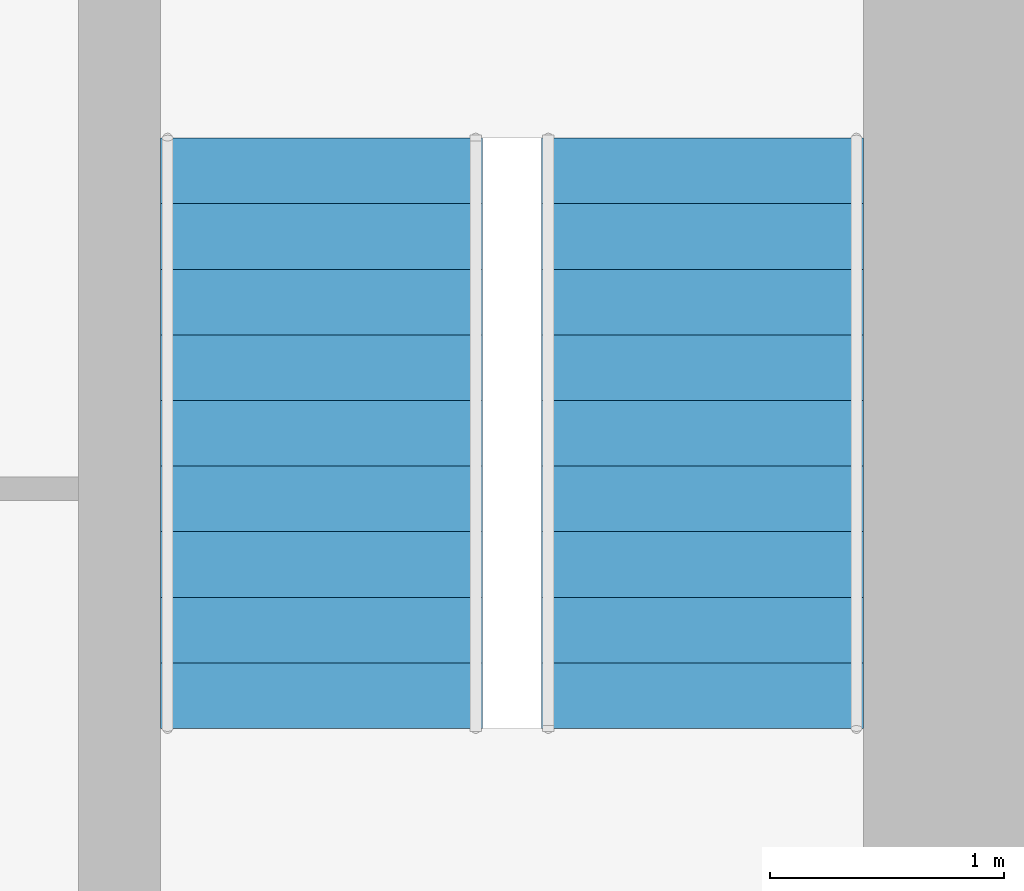
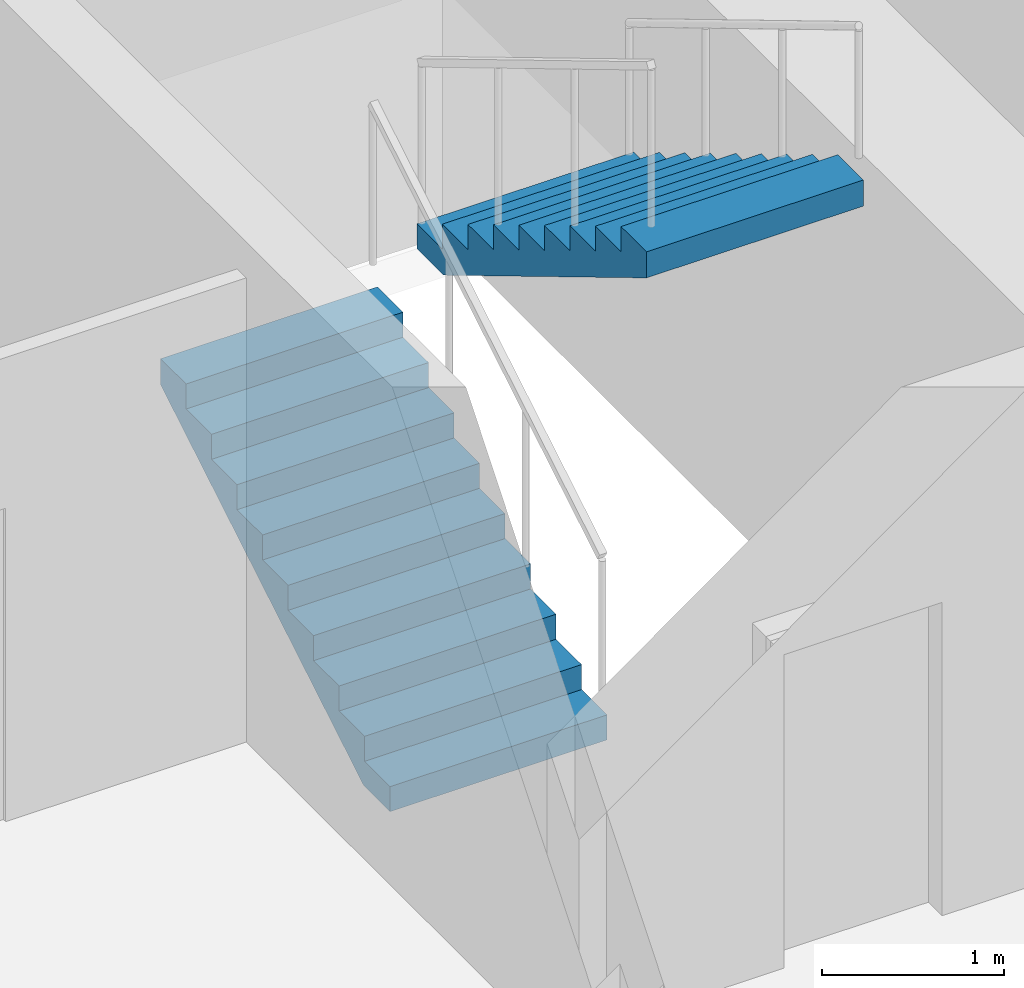
# One storey, part 24 of 25: 2 stair flights, 1 element without a shape of its own.
"""IFC4 building model written with IfcOpenShell, lengths in metres."""

from ifc_helpers import new_model, si_unit, direction, frame, origin, place, context, subcontext, project, spatial, polyline, outline, extrude, material, type_object, element, aggregate, save


model = new_model("IFC4")

# Units and contexts
model_context = context("Model", 3, precision=1e-05, world=origin(), true_north=direction((0.0, 1.0)))
body_context = subcontext(model_context, "Body", "Model", "MODEL_VIEW")
ifc_project = project(units=[si_unit("LENGTHUNIT", "METRE"), si_unit("AREAUNIT", "SQUARE_METRE"), si_unit("VOLUMEUNIT", "CUBIC_METRE"), si_unit("PLANEANGLEUNIT", "RADIAN"), si_unit("MASSUNIT", "GRAM", prefix="KILO")], contexts=[model_context])

# Site, building, storey
site_placement = place(None, origin())
site = spatial("IfcSite", under=ifc_project, at=site_placement, CompositionType="ELEMENT")
building_placement = place(site_placement, origin())
building = spatial("IfcBuilding", under=site, at=building_placement, Name="Jalousie Tower", CompositionType="ELEMENT")
storey_placement = place(building_placement, frame((0.0, 0.0, 101.5)))
storey = spatial("IfcBuildingStorey", under=building, at=storey_placement, Name="L27", CompositionType="ELEMENT", Elevation=101.5)

# Stair, stair flights
ifc_material_1 = material(Name="Concrete f'c 40 MPa", Category="concrete")
stair_type = type_object("IfcStairType", Name="EXIT STAIR", PredefinedType="HALF_TURN_STAIR", material=ifc_material_1)
stair_placement = place(storey_placement, origin())
stair = element("IfcStair", 1, at=stair_placement, inside=storey, type_object=stair_type, Name="Exit stair B L27", PredefinedType="HALF_TURN_STAIR")
ifc_material_2 = material(Name="Concrete f'c 40 MPa", Category="concrete")
stair_flight_type = type_object("IfcStairFlightType", Name="STAIR FLIGHT", PredefinedType="STRAIGHT", material=ifc_material_2)
stair_flight_1_placement = place(storey_placement, frame((41.0625, 21.50244140625, 0.0), z_axis=(0.0, 0.0, 1.0), x_axis=(0.0, 1.0, 0.0)))
stair_flight_1 = element("IfcStairFlight", 2, at=stair_flight_1_placement, type_object=stair_flight_type, Name="ST-B flight 1", NumberOfRisers=10, NumberOfTreads=9, PredefinedType="STRAIGHT", RiserHeight=0.1675, TreadLength=0.28, context=body_context, shape_type="SweptSolid", body=[
    extrude(outline(polyline([(0.0, 0.0), (0.0, 0.16748046875), (0.280029296875, 0.16748046875), (0.280029296875, 0.3349609375), (0.56005859375, 0.3349609375), (0.56005859375, 0.50244140625), (0.840087890625, 0.50244140625), (0.840087890625, 0.669921875), (1.1201171875, 0.669921875), (1.1201171875, 0.83740234375), (1.39990234375, 0.83740234375), (1.39990234375, 1.0048828125), (1.679931640625, 1.0048828125), (1.679931640625, 1.172607421875), (1.9599609375, 1.172607421875), (1.9599609375, 1.340087890625), (2.239990234375, 1.340087890625), (2.239990234375, 1.507568359375), (2.52001953125, 1.507568359375), (2.52001953125, 1.675048828125), (2.52001953125, 1.332763671875), (0.2919921875, 0.0), (0.0, 0.0)])), frame((0.0, 0.6875, 0.0), z_axis=(0.0, -1.0, 0.0), x_axis=(1.0, 0.0, 0.0)), (0.0, 0.0, 1.0), 1.375),
])
stair_flight_2_placement = place(storey_placement, frame((42.6875, 24.0224609375, 1.675048828125), z_axis=(0.0, 0.0, 1.0), x_axis=(0.0, -1.0, 0.0)))
stair_flight_2 = element("IfcStairFlight", 3, at=stair_flight_2_placement, type_object=stair_flight_type, Name="ST-B flight 2", NumberOfRisers=10, NumberOfTreads=9, PredefinedType="STRAIGHT", RiserHeight=0.1675, TreadLength=0.28, context=body_context, shape_type="SweptSolid", body=[
    extrude(outline(polyline([(0.0, 0.0), (0.0, 0.16748046875), (0.280029296875, 0.16748046875), (0.280029296875, 0.3349609375), (0.56005859375, 0.3349609375), (0.56005859375, 0.50244140625), (0.840087890625, 0.50244140625), (0.840087890625, 0.669921875), (1.1201171875, 0.669921875), (1.1201171875, 0.83740234375), (1.39990234375, 0.83740234375), (1.39990234375, 1.0048828125), (1.679931640625, 1.0048828125), (1.679931640625, 1.172607421875), (1.9599609375, 1.172607421875), (1.9599609375, 1.340087890625), (2.239990234375, 1.340087890625), (2.239990234375, 1.507568359375), (2.52001953125, 1.507568359375), (2.52001953125, 1.675048828125), (2.52001953125, 1.332763671875), (0.2919921875, 0.0), (0.0, 0.0)])), frame((0.0, 0.6875, 0.0), z_axis=(0.0, -1.0, 0.0), x_axis=(1.0, 0.0, 0.0)), (0.0, 0.0, 1.0), 1.375),
])
aggregate(stair, [stair_flight_1, stair_flight_2])

save(model, "model.ifc")
